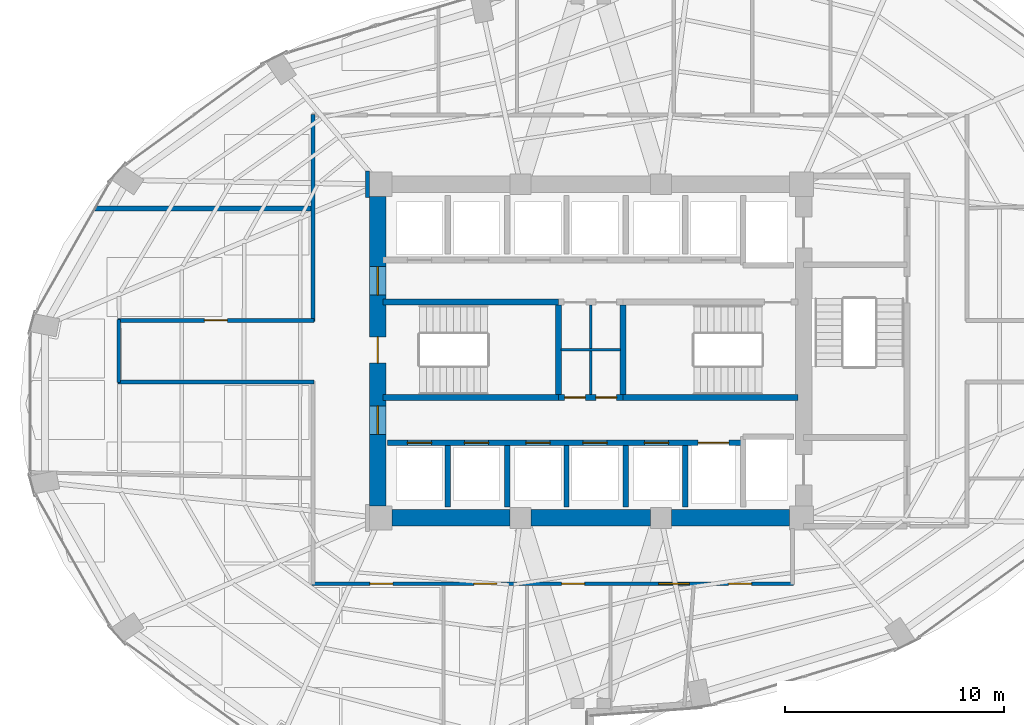
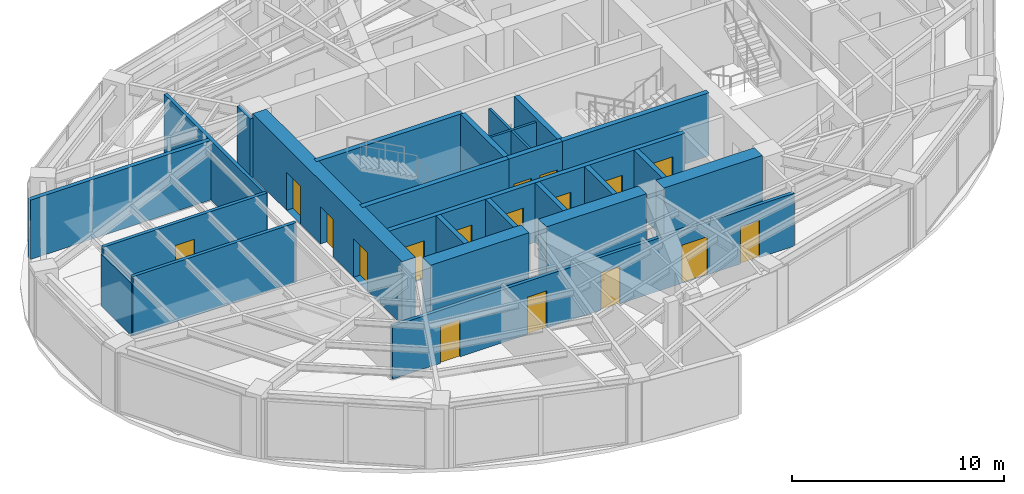
# One storey, part 19 of 23: 25 walls, 17 doors, 17 openings.
"""IFC4 building model written with IfcOpenShell, lengths in metres."""

from ifc_helpers import new_model, si_unit, direction, frame, frame_2d, origin, place, context, subcontext, project, spatial, rectangle, extrude, material, layer, layer_set, type_object, element, fill, save


model = new_model("IFC4")

# Units and contexts
model_context = context("Model", 3, precision=1e-05, world=origin(), true_north=direction((0.0, 1.0)))
body_context = subcontext(model_context, "Body", "Model", "MODEL_VIEW")
ifc_project = project(units=[si_unit("LENGTHUNIT", "METRE"), si_unit("AREAUNIT", "SQUARE_METRE"), si_unit("VOLUMEUNIT", "CUBIC_METRE"), si_unit("PLANEANGLEUNIT", "RADIAN"), si_unit("MASSUNIT", "GRAM", prefix="KILO")], contexts=[model_context])

# Site, building, storey
site_placement = place(None, origin())
site = spatial("IfcSite", under=ifc_project, at=site_placement, CompositionType="ELEMENT")
building_placement = place(site_placement, origin())
building = spatial("IfcBuilding", under=site, at=building_placement, Name="Lazwardi Medical Tower", CompositionType="ELEMENT")
storey_placement = place(building_placement, frame((0.0, 0.0, 89.0400390625)))
storey = spatial("IfcBuildingStorey", under=building, at=storey_placement, Name="L22", CompositionType="ELEMENT", Elevation=89.0400390625)

# Wall
ifc_material_1 = material(Name="Fire-rated gypsum board on steel stud", Category="steel")
ifc_layer_1 = layer(ifc_material_1, 0.179931640625)
ifc_layer_set_1 = layer_set([ifc_layer_1], Name="Fire-rated gypsum board on steel stud")
wall_type_1 = type_object("IfcWallType", Name="WL-COR-180", PredefinedType="PARTITIONING", material=ifc_layer_set_1)
wall_1_placement = place(storey_placement, frame((14.5, 26.56005859375, 0.0), z_axis=(0.0, 0.0, 1.0), x_axis=(0.0, 1.0, 0.0)))
element("IfcWall", 1, at=wall_1_placement, inside=storey, type_object=wall_type_1, Name="L22 Corridor partition 1", PredefinedType="PARTITIONING", context=body_context, shape_type="SweptSolid", body=[
    extrude(rectangle(XDim=2.8798828125, YDim=0.179931640625, at=frame_2d((1.43994140625, 0.0))), origin(), (0.0, 0.0, 1.0), 3.012939453125),
])

# Wall, opening, door
wall_2_placement = place(storey_placement, frame((14.4599609375, 29.39990234375, 0.0), z_axis=(0.0, 0.0, 1.0), x_axis=(1.0, 0.0, 0.0)))
wall_2 = element("IfcWall", 2, at=wall_2_placement, inside=storey, type_object=wall_type_1, Name="L22 Corridor partition 2", PredefinedType="PARTITIONING", context=body_context, shape_type="SweptSolid", body=[
    extrude(rectangle(XDim=8.929931640625, YDim=0.179931640625, at=frame_2d((4.46484375, 0.0))), origin(), (0.0, 0.0, 1.0), 3.427978515625),
])
opening_1_placement = place(wall_2_placement, frame((3.93994140625, 0.0, 0.0)))
opening_1 = element("IfcOpeningElement", 3, at=opening_1_placement, cuts=wall_2, Name="Opening D-L22-021", PredefinedType="OPENING", context=body_context, shape_type="SweptSolid", body=[
    extrude(rectangle(XDim=1.050048828125, YDim=2.14990234375, at=frame_2d((0.52490234375, 1.074951171875))), frame((0.0, 0.099853515625, 0.0), z_axis=(0.0, -1.0, 0.0), x_axis=(1.0, 0.0, 0.0)), (0.0, 0.0, 1.0), 0.199951171875),
])
ifc_material_2 = material(Name="Anti-microbial laminate hospital leaf")
door_type_1 = type_object("IfcDoorType", Name="DR-CLN-1050", OperationType="NOTDEFINED", PredefinedType="DOOR", material=ifc_material_2)
door_1_placement = place(opening_1_placement, origin())
door_1 = element("IfcDoor", 4, at=door_1_placement, inside=storey, type_object=door_type_1, Name="L22 Outpatient Consultation Suite Door 13", OperationType="SINGLE_SWING_LEFT", OverallHeight=2.14990234375, OverallWidth=1.050048828125, PredefinedType="DOOR", context=body_context, shape_type="SweptSolid", body=[
    extrude(rectangle(XDim=1.050048828125, YDim=2.14990234375, at=frame_2d((0.52490234375, 1.074951171875))), frame((0.0, 0.02490234375, 0.0), z_axis=(0.0, -1.0, 0.0), x_axis=(1.0, 0.0, 0.0)), (0.0, 0.0, 1.0), 0.050048828125),
])
fill(opening_1, door_1)

# Walls
wall_3_placement = place(storey_placement, frame((23.35009765625, 29.360107421875, 0.0), z_axis=(0.0, 0.0, 1.0), x_axis=(0.0, 1.0, 0.0)))
element("IfcWall", 5, at=wall_3_placement, inside=storey, type_object=wall_type_1, Name="L22 Corridor partition 3", PredefinedType="PARTITIONING", context=body_context, shape_type="SweptSolid", body=[
    extrude(rectangle(XDim=9.429931640625, YDim=0.179931640625, at=frame_2d((4.71484375, 0.0))), origin(), (0.0, 0.0, 1.0), 3.427978515625),
])
wall_4_placement = place(storey_placement, frame((25.830078125, 36.2099609375, 0.0), z_axis=(0.0, 0.0, 1.0), x_axis=(0.0, -1.0, 0.0)))
element("IfcWall", 6, at=wall_4_placement, inside=storey, type_object=wall_type_1, Name="L22 Corridor partition 11", PredefinedType="PARTITIONING", context=body_context, shape_type="SweptSolid", body=[
    extrude(rectangle(XDim=1.219970703125, YDim=0.179931640625, at=frame_2d((0.60986328125, 0.0))), origin(), (0.0, 0.0, 1.0), 3.427978515625),
])

# Wall, openings, doors
wall_5_placement = place(storey_placement, frame((45.239990234375, 17.39990234375, 0.0), z_axis=(0.0, 0.0, 1.0), x_axis=(-1.0, 0.0, 0.0)))
wall_5 = element("IfcWall", 7, at=wall_5_placement, inside=storey, type_object=wall_type_1, Name="L22 Corridor partition 14", PredefinedType="PARTITIONING", context=body_context, shape_type="SweptSolid", body=[
    extrude(rectangle(XDim=21.929931640625, YDim=0.179931640625, at=frame_2d((10.96484375, 0.0))), origin(), (0.0, 0.0, 1.0), 3.052978515625),
])
opening_2_placement = place(wall_5_placement, frame((18.2509765625, 0.0, 0.0)))
opening_2 = element("IfcOpeningElement", 8, at=opening_2_placement, cuts=wall_5, Name="Opening D-L22-009", PredefinedType="OPENING", context=body_context, shape_type="SweptSolid", body=[
    extrude(rectangle(XDim=1.050048828125, YDim=2.14990234375, at=frame_2d((0.52490234375, 1.074951171875))), frame((0.0, 0.099853515625, 0.0), z_axis=(0.0, -1.0, 0.0), x_axis=(1.0, 0.0, 0.0)), (0.0, 0.0, 1.0), 0.199951171875),
])
opening_3_placement = place(wall_5_placement, frame((13.514892578125, 0.0, 0.0)))
opening_3 = element("IfcOpeningElement", 9, at=opening_3_placement, cuts=wall_5, Name="Opening D-L22-010", PredefinedType="OPENING", context=body_context, shape_type="SweptSolid", body=[
    extrude(rectangle(XDim=1.050048828125, YDim=2.14990234375, at=frame_2d((0.52490234375, 1.074951171875))), frame((0.0, 0.099853515625, 0.0), z_axis=(0.0, -1.0, 0.0), x_axis=(1.0, 0.0, 0.0)), (0.0, 0.0, 1.0), 0.199951171875),
])
opening_4_placement = place(wall_5_placement, frame((9.514892578125, 0.0, 0.0)))
opening_4 = element("IfcOpeningElement", 10, at=opening_4_placement, cuts=wall_5, Name="Opening D-L22-011", PredefinedType="OPENING", context=body_context, shape_type="SweptSolid", body=[
    extrude(rectangle(XDim=1.050048828125, YDim=2.14990234375, at=frame_2d((0.52490234375, 1.074951171875))), frame((0.0, 0.099853515625, 0.0), z_axis=(0.0, -1.0, 0.0), x_axis=(1.0, 0.0, 0.0)), (0.0, 0.0, 1.0), 0.199951171875),
])
opening_5_placement = place(wall_5_placement, frame((4.743408203125, 0.0, 0.0)))
opening_5 = element("IfcOpeningElement", 11, at=opening_5_placement, cuts=wall_5, Name="Opening D-L22-012", PredefinedType="OPENING", context=body_context, shape_type="SweptSolid", body=[
    extrude(rectangle(XDim=1.39990234375, YDim=2.199951171875, at=frame_2d((0.699951171875, 1.10009765625))), frame((0.0, 0.099853515625, 0.0), z_axis=(0.0, -1.0, 0.0), x_axis=(1.0, 0.0, 0.0)), (0.0, 0.0, 1.0), 0.199951171875),
])
opening_6_placement = place(wall_5_placement, frame((1.906982421875, 0.0, 0.0)))
opening_6 = element("IfcOpeningElement", 12, at=opening_6_placement, cuts=wall_5, Name="Opening D-L22-013", PredefinedType="OPENING", context=body_context, shape_type="SweptSolid", body=[
    extrude(rectangle(XDim=1.050048828125, YDim=2.14990234375, at=frame_2d((0.52490234375, 1.074951171875))), frame((0.0, 0.099853515625, 0.0), z_axis=(0.0, -1.0, 0.0), x_axis=(1.0, 0.0, 0.0)), (0.0, 0.0, 1.0), 0.199951171875),
])
door_type_2 = type_object("IfcDoorType", Name="DR-BED-1400", OperationType="NOTDEFINED", PredefinedType="DOOR", material=ifc_material_2)
door_2_placement = place(opening_5_placement, origin())
door_2 = element("IfcDoor", 13, at=door_2_placement, inside=storey, type_object=door_type_2, Name="L22 Rehabilitation Gymnasium Door 04", OperationType="SINGLE_SWING_RIGHT", OverallHeight=2.199951171875, OverallWidth=1.39990234375, PredefinedType="DOOR", context=body_context, shape_type="SweptSolid", body=[
    extrude(rectangle(XDim=1.39990234375, YDim=2.199951171875, at=frame_2d((0.699951171875, 1.10009765625))), frame((0.0, 0.02490234375, 0.0), z_axis=(0.0, -1.0, 0.0), x_axis=(1.0, 0.0, 0.0)), (0.0, 0.0, 1.0), 0.050048828125),
])
fill(opening_5, door_2)
door_3_placement = place(opening_2_placement, origin())
door_3 = element("IfcDoor", 14, at=door_3_placement, inside=storey, type_object=door_type_1, Name="L22 Outpatient Consultation Suite Door 01", OperationType="SINGLE_SWING_LEFT", OverallHeight=2.14990234375, OverallWidth=1.050048828125, PredefinedType="DOOR", context=body_context, shape_type="SweptSolid", body=[
    extrude(rectangle(XDim=1.050048828125, YDim=2.14990234375, at=frame_2d((0.52490234375, 1.074951171875))), frame((0.0, 0.02490234375, 0.0), z_axis=(0.0, -1.0, 0.0), x_axis=(1.0, 0.0, 0.0)), (0.0, 0.0, 1.0), 0.050048828125),
])
fill(opening_2, door_3)
door_4_placement = place(opening_3_placement, origin())
door_4 = element("IfcDoor", 15, at=door_4_placement, inside=storey, type_object=door_type_1, Name="L22 Clinical Specialist Office Door 02", OperationType="SINGLE_SWING_RIGHT", OverallHeight=2.14990234375, OverallWidth=1.050048828125, PredefinedType="DOOR", context=body_context, shape_type="SweptSolid", body=[
    extrude(rectangle(XDim=1.050048828125, YDim=2.14990234375, at=frame_2d((0.52490234375, 1.074951171875))), frame((0.0, 0.02490234375, 0.0), z_axis=(0.0, -1.0, 0.0), x_axis=(1.0, 0.0, 0.0)), (0.0, 0.0, 1.0), 0.050048828125),
])
fill(opening_3, door_4)
door_5_placement = place(opening_4_placement, origin())
door_5 = element("IfcDoor", 16, at=door_5_placement, inside=storey, type_object=door_type_1, Name="L22 Outpatient Clinic Door 03", OperationType="SINGLE_SWING_LEFT", OverallHeight=2.14990234375, OverallWidth=1.050048828125, PredefinedType="DOOR", context=body_context, shape_type="SweptSolid", body=[
    extrude(rectangle(XDim=1.050048828125, YDim=2.14990234375, at=frame_2d((0.52490234375, 1.074951171875))), frame((0.0, 0.02490234375, 0.0), z_axis=(0.0, -1.0, 0.0), x_axis=(1.0, 0.0, 0.0)), (0.0, 0.0, 1.0), 0.050048828125),
])
fill(opening_4, door_5)
door_6_placement = place(opening_6_placement, origin())
door_6 = element("IfcDoor", 17, at=door_6_placement, inside=storey, type_object=door_type_1, Name="L22 Outpatient Consultation Suite Door 05", OperationType="SINGLE_SWING_LEFT", OverallHeight=2.14990234375, OverallWidth=1.050048828125, PredefinedType="DOOR", context=body_context, shape_type="SweptSolid", body=[
    extrude(rectangle(XDim=1.050048828125, YDim=2.14990234375, at=frame_2d((0.52490234375, 1.074951171875))), frame((0.0, 0.02490234375, 0.0), z_axis=(0.0, -1.0, 0.0), x_axis=(1.0, 0.0, 0.0)), (0.0, 0.0, 1.0), 0.050048828125),
])
fill(opening_6, door_6)

# Wall
wall_6_placement = place(storey_placement, frame((23.389892578125, 26.60009765625, 0.0), z_axis=(0.0, 0.0, 1.0), x_axis=(-1.0, 0.0, 0.0)))
element("IfcWall", 18, at=wall_6_placement, inside=storey, type_object=wall_type_1, Name="L22 Corridor partition 16", PredefinedType="PARTITIONING", context=body_context, shape_type="SweptSolid", body=[
    extrude(rectangle(XDim=8.929931640625, YDim=0.179931640625, at=frame_2d((4.46484375, 0.0))), origin(), (0.0, 0.0, 1.0), 3.427978515625),
])

# Wall, openings, doors
ifc_material_3 = material(Name="Concrete C70/85", Category="concrete")
ifc_layer_2 = layer(ifc_material_3, 0.75)
ifc_layer_set_2 = layer_set([ifc_layer_2], Name="Concrete C70/85")
wall_type_2 = type_object("IfcWallType", Name="WL-CORE-750", PredefinedType="SHEAR", material=ifc_layer_set_2)
wall_7_placement = place(storey_placement, frame((26.300048828125, 20.949951171875, 0.0), z_axis=(0.0, 0.0, 1.0), x_axis=(0.0, 1.0, 0.0)))
wall_7 = element("IfcWall", 19, at=wall_7_placement, inside=storey, type_object=wall_type_2, Name="Core wall CW-S2 west L22", PredefinedType="SHEAR", context=body_context, shape_type="SweptSolid", body=[
    extrude(rectangle(XDim=14.10009765625, YDim=0.75, at=frame_2d((7.050048828125, 0.0))), origin(), (0.0, 0.0, 1.0), 3.64794921875),
])
opening_7_placement = place(wall_7_placement, frame((6.5, 0.0, 0.0)))
opening_7 = element("IfcOpeningElement", 20, at=opening_7_placement, cuts=wall_7, Name="Opening D-L22-022", PredefinedType="OPENING", context=body_context, shape_type="SweptSolid", body=[
    extrude(rectangle(XDim=1.199951171875, YDim=2.14990234375, at=frame_2d((0.60009765625, 1.074951171875))), frame((0.0, 0.385009765625, 0.0), z_axis=(0.0, -1.0, 0.0), x_axis=(1.0, 0.0, 0.0)), (0.0, 0.0, 1.0), 0.77001953125),
])
opening_8_placement = place(wall_7_placement, frame((9.60009765625, 0.0, 0.0)))
opening_8 = element("IfcOpeningElement", 21, at=opening_8_placement, cuts=wall_7, Name="Opening D-L22-007", PredefinedType="OPENING", context=body_context, shape_type="SweptSolid", body=[
    extrude(rectangle(XDim=1.300048828125, YDim=2.199951171875, at=frame_2d((0.64990234375, 1.10009765625))), frame((0.0, 0.385009765625, 0.0), z_axis=(0.0, -1.0, 0.0), x_axis=(1.0, 0.0, 0.0)), (0.0, 0.0, 1.0), 0.77001953125),
])
opening_9_placement = place(wall_7_placement, frame((3.260009765625, 0.0, 0.0)))
opening_9 = element("IfcOpeningElement", 22, at=opening_9_placement, cuts=wall_7, Name="Opening D-L22-008", PredefinedType="OPENING", context=body_context, shape_type="SweptSolid", body=[
    extrude(rectangle(XDim=1.300048828125, YDim=2.199951171875, at=frame_2d((0.64990234375, 1.10009765625))), frame((0.0, 0.385009765625, 0.0), z_axis=(0.0, -1.0, 0.0), x_axis=(1.0, 0.0, 0.0)), (0.0, 0.0, 1.0), 0.77001953125),
])
ifc_material_4 = material(Name="Fire-rated steel leaf and frame", Category="steel")
door_type_3 = type_object("IfcDoorType", Name="DR-FFL-1300", OperationType="NOTDEFINED", PredefinedType="DOOR", material=ifc_material_4)
door_7_placement = place(opening_8_placement, origin())
door_7 = element("IfcDoor", 23, at=door_7_placement, inside=storey, type_object=door_type_3, Name="L22 North Lift Lobby Door", OperationType="SINGLE_SWING_RIGHT", OverallHeight=2.199951171875, OverallWidth=1.300048828125, PredefinedType="DOOR", context=body_context, shape_type="SweptSolid", body=[
    extrude(rectangle(XDim=1.300048828125, YDim=2.199951171875, at=frame_2d((0.64990234375, 1.10009765625))), frame((0.0, 0.02490234375, 0.0), z_axis=(0.0, -1.0, 0.0), x_axis=(1.0, 0.0, 0.0)), (0.0, 0.0, 1.0), 0.050048828125),
])
fill(opening_8, door_7)
door_8_placement = place(opening_9_placement, origin())
door_8 = element("IfcDoor", 24, at=door_8_placement, inside=storey, type_object=door_type_3, Name="L22 South Lift Lobby Door", OperationType="SINGLE_SWING_LEFT", OverallHeight=2.199951171875, OverallWidth=1.300048828125, PredefinedType="DOOR", context=body_context, shape_type="SweptSolid", body=[
    extrude(rectangle(XDim=1.300048828125, YDim=2.199951171875, at=frame_2d((0.64990234375, 1.10009765625))), frame((0.0, 0.02490234375, 0.0), z_axis=(0.0, -1.0, 0.0), x_axis=(1.0, 0.0, 0.0)), (0.0, 0.0, 1.0), 0.050048828125),
])
fill(opening_9, door_8)
door_type_4 = type_object("IfcDoorType", Name="DR-STR-1200", OperationType="NOTDEFINED", PredefinedType="DOOR", material=ifc_material_4)
door_9_placement = place(opening_7_placement, origin())
door_9 = element("IfcDoor", 25, at=door_9_placement, inside=storey, type_object=door_type_4, Name="L22 Exit Stair ST1 Door", OperationType="SINGLE_SWING_RIGHT", OverallHeight=2.14990234375, OverallWidth=1.199951171875, PredefinedType="DOOR", context=body_context, shape_type="SweptSolid", body=[
    extrude(rectangle(XDim=1.199951171875, YDim=2.14990234375, at=frame_2d((0.60009765625, 1.074951171875))), frame((0.0, 0.02490234375, 0.0), z_axis=(0.0, -1.0, 0.0), x_axis=(1.0, 0.0, 0.0)), (0.0, 0.0, 1.0), 0.050048828125),
])
fill(opening_7, door_9)

# Walls
wall_8_placement = place(storey_placement, frame((26.949951171875, 20.39990234375, 0.0), z_axis=(0.0, 0.0, 1.0), x_axis=(1.0, 0.0, 0.0)))
element("IfcWall", 26, at=wall_8_placement, inside=storey, type_object=wall_type_2, Name="Core wall CW-S2 S1 L22", PredefinedType="SHEAR", context=body_context, shape_type="SweptSolid", body=[
    extrude(rectangle(XDim=5.375, YDim=0.75, at=frame_2d((2.6875, 0.0))), origin(), (0.0, 0.0, 1.0), 3.64794921875),
])
wall_9_placement = place(storey_placement, frame((33.27490234375, 20.39990234375, 0.0), z_axis=(0.0, 0.0, 1.0), x_axis=(1.0, 0.0, 0.0)))
element("IfcWall", 27, at=wall_9_placement, inside=storey, type_object=wall_type_2, Name="Core wall CW-S2 S2 L22", PredefinedType="SHEAR", context=body_context, shape_type="SweptSolid", body=[
    extrude(rectangle(XDim=5.4501953125, YDim=0.75, at=frame_2d((2.72509765625, 0.0))), origin(), (0.0, 0.0, 1.0), 3.64794921875),
])
wall_10_placement = place(storey_placement, frame((39.675048828125, 20.39990234375, 0.0), z_axis=(0.0, 0.0, 1.0), x_axis=(1.0, 0.0, 0.0)))
element("IfcWall", 28, at=wall_10_placement, inside=storey, type_object=wall_type_2, Name="Core wall CW-S2 S3 L22", PredefinedType="SHEAR", context=body_context, shape_type="SweptSolid", body=[
    extrude(rectangle(XDim=5.375, YDim=0.75, at=frame_2d((2.6875, 0.0))), origin(), (0.0, 0.0, 1.0), 3.64794921875),
])
ifc_material_5 = material(Name="Moisture-resistant gypsum board partition")
ifc_layer_3 = layer(ifc_material_5, 0.125)
ifc_layer_set_3 = layer_set([ifc_layer_3], Name="Moisture-resistant gypsum board partition")
wall_type_3 = type_object("IfcWallType", Name="WL-ENS-125", PredefinedType="PARTITIONING", material=ifc_layer_set_3)
wall_11_placement = place(storey_placement, frame((34.64990234375, 28.06005859375, 0.0), z_axis=(0.0, 0.0, 1.0), x_axis=(1.0, 0.0, 0.0)))
element("IfcWall", 29, at=wall_11_placement, inside=storey, type_object=wall_type_3, Name="L22 Core 4-way H divider", PredefinedType="PARTITIONING", context=body_context, shape_type="SweptSolid", body=[
    extrude(rectangle(XDim=2.7001953125, YDim=0.125, at=frame_2d((1.35009765625, 0.0))), origin(), (0.0, 0.0, 1.0), 3.427978515625),
])
wall_12_placement = place(storey_placement, frame((36.0, 26.02001953125, 0.0), z_axis=(0.0, 0.0, 1.0), x_axis=(0.0, 1.0, 0.0)))
element("IfcWall", 30, at=wall_12_placement, inside=storey, type_object=wall_type_3, Name="L22 Core 4-way V divider", PredefinedType="PARTITIONING", context=body_context, shape_type="SweptSolid", body=[
    extrude(rectangle(XDim=4.080078125, YDim=0.125, at=frame_2d((2.0400390625, 0.0))), origin(), (0.0, 0.0, 1.0), 3.427978515625),
])

# Wall, openings, doors
ifc_material_6 = material(Name="Autoclaved aerated concrete blockwork", Category="masonry")
ifc_layer_4 = layer(ifc_material_6, 0.25)
ifc_layer_set_4 = layer_set([ifc_layer_4], Name="Autoclaved aerated concrete blockwork")
wall_type_4 = type_object("IfcWallType", Name="WL-SHAFT-250", PredefinedType="SOLIDWALL", material=ifc_layer_set_4)
wall_13_placement = place(storey_placement, frame((26.75, 23.830078125, 0.0), z_axis=(0.0, 0.0, 1.0), x_axis=(1.0, 0.0, 0.0)))
wall_13 = element("IfcWall", 31, at=wall_13_placement, inside=storey, type_object=wall_type_4, Name="L22 South lift bank front wall", PredefinedType="SOLIDWALL", context=body_context, shape_type="SweptSolid", body=[
    extrude(rectangle(XDim=16.199951171875, YDim=0.25, at=frame_2d((8.10009765625, 0.0))), origin(), (0.0, 0.0, 1.0), 3.427978515625),
])
opening_10_placement = place(wall_13_placement, frame((0.89990234375, 0.0, 0.0)))
opening_10 = element("IfcOpeningElement", 32, at=opening_10_placement, cuts=wall_13, Name="Opening LD-L22-006", PredefinedType="OPENING", context=body_context, shape_type="SweptSolid", body=[
    extrude(rectangle(XDim=1.10009765625, YDim=2.199951171875, at=frame_2d((0.550048828125, 1.10009765625))), frame((0.0, 0.135009765625, 0.0), z_axis=(0.0, -1.0, 0.0), x_axis=(1.0, 0.0, 0.0)), (0.0, 0.0, 1.0), 0.27001953125),
])
opening_11_placement = place(wall_13_placement, frame((3.5, 0.0, 0.0)))
opening_11 = element("IfcOpeningElement", 33, at=opening_11_placement, cuts=wall_13, Name="Opening LD-L22-007", PredefinedType="OPENING", context=body_context, shape_type="SweptSolid", body=[
    extrude(rectangle(XDim=1.10009765625, YDim=2.199951171875, at=frame_2d((0.550048828125, 1.10009765625))), frame((0.0, 0.135009765625, 0.0), z_axis=(0.0, -1.0, 0.0), x_axis=(1.0, 0.0, 0.0)), (0.0, 0.0, 1.0), 0.27001953125),
])
opening_12_placement = place(wall_13_placement, frame((6.300048828125, 0.0, 0.0)))
opening_12 = element("IfcOpeningElement", 34, at=opening_12_placement, cuts=wall_13, Name="Opening LD-L22-010", PredefinedType="OPENING", context=body_context, shape_type="SweptSolid", body=[
    extrude(rectangle(XDim=1.10009765625, YDim=2.199951171875, at=frame_2d((0.550048828125, 1.10009765625))), frame((0.0, 0.135009765625, 0.0), z_axis=(0.0, -1.0, 0.0), x_axis=(1.0, 0.0, 0.0)), (0.0, 0.0, 1.0), 0.27001953125),
])
opening_13_placement = place(wall_13_placement, frame((8.89990234375, 0.0, 0.0)))
opening_13 = element("IfcOpeningElement", 35, at=opening_13_placement, cuts=wall_13, Name="Opening LD-L22-011", PredefinedType="OPENING", context=body_context, shape_type="SweptSolid", body=[
    extrude(rectangle(XDim=1.10009765625, YDim=2.199951171875, at=frame_2d((0.550048828125, 1.10009765625))), frame((0.0, 0.135009765625, 0.0), z_axis=(0.0, -1.0, 0.0), x_axis=(1.0, 0.0, 0.0)), (0.0, 0.0, 1.0), 0.27001953125),
])
opening_14_placement = place(wall_13_placement, frame((11.699951171875, 0.0, 0.0)))
opening_14 = element("IfcOpeningElement", 36, at=opening_14_placement, cuts=wall_13, Name="Opening LD-L22-014", PredefinedType="OPENING", context=body_context, shape_type="SweptSolid", body=[
    extrude(rectangle(XDim=1.10009765625, YDim=2.199951171875, at=frame_2d((0.550048828125, 1.10009765625))), frame((0.0, 0.135009765625, 0.0), z_axis=(0.0, -1.0, 0.0), x_axis=(1.0, 0.0, 0.0)), (0.0, 0.0, 1.0), 0.27001953125),
])
opening_15_placement = place(wall_13_placement, frame((14.14990234375, 0.0, 0.0)))
opening_15 = element("IfcOpeningElement", 37, at=opening_15_placement, cuts=wall_13, Name="Opening LD-L22-003", PredefinedType="OPENING", context=body_context, shape_type="SweptSolid", body=[
    extrude(rectangle(XDim=1.39990234375, YDim=2.300048828125, at=frame_2d((0.699951171875, 1.14990234375))), frame((0.0, 0.135009765625, 0.0), z_axis=(0.0, -1.0, 0.0), x_axis=(1.0, 0.0, 0.0)), (0.0, 0.0, 1.0), 0.27001953125),
])
ifc_material_7 = material(Name="Brushed bronze stainless steel landing door", Category="steel")
door_type_5 = type_object("IfcDoorType", Name="DR-LFT-1100", OperationType="NOTDEFINED", PredefinedType="DOOR", material=ifc_material_7)
door_10_placement = place(opening_10_placement, origin())
door_10 = element("IfcDoor", 38, at=door_10_placement, inside=storey, type_object=door_type_5, Name="L22 Lift Landing Door PL-03", OperationType="SLIDING_TO_LEFT", OverallHeight=2.199951171875, OverallWidth=1.10009765625, PredefinedType="DOOR", context=body_context, shape_type="SweptSolid", body=[
    extrude(rectangle(XDim=1.10009765625, YDim=2.199951171875, at=frame_2d((0.550048828125, 1.10009765625))), frame((0.0, 0.02490234375, 0.0), z_axis=(0.0, -1.0, 0.0), x_axis=(1.0, 0.0, 0.0)), (0.0, 0.0, 1.0), 0.050048828125),
])
fill(opening_10, door_10)
door_11_placement = place(opening_11_placement, origin())
door_11 = element("IfcDoor", 39, at=door_11_placement, inside=storey, type_object=door_type_5, Name="L22 Lift Landing Door PL-04", OperationType="SLIDING_TO_LEFT", OverallHeight=2.199951171875, OverallWidth=1.10009765625, PredefinedType="DOOR", context=body_context, shape_type="SweptSolid", body=[
    extrude(rectangle(XDim=1.10009765625, YDim=2.199951171875, at=frame_2d((0.550048828125, 1.10009765625))), frame((0.0, 0.02490234375, 0.0), z_axis=(0.0, -1.0, 0.0), x_axis=(1.0, 0.0, 0.0)), (0.0, 0.0, 1.0), 0.050048828125),
])
fill(opening_11, door_11)
door_12_placement = place(opening_12_placement, origin())
door_12 = element("IfcDoor", 40, at=door_12_placement, inside=storey, type_object=door_type_5, Name="L22 Lift Landing Door PL-07", OperationType="SLIDING_TO_LEFT", OverallHeight=2.199951171875, OverallWidth=1.10009765625, PredefinedType="DOOR", context=body_context, shape_type="SweptSolid", body=[
    extrude(rectangle(XDim=1.10009765625, YDim=2.199951171875, at=frame_2d((0.550048828125, 1.10009765625))), frame((0.0, 0.02490234375, 0.0), z_axis=(0.0, -1.0, 0.0), x_axis=(1.0, 0.0, 0.0)), (0.0, 0.0, 1.0), 0.050048828125),
])
fill(opening_12, door_12)
door_13_placement = place(opening_13_placement, origin())
door_13 = element("IfcDoor", 41, at=door_13_placement, inside=storey, type_object=door_type_5, Name="L22 Lift Landing Door PL-08", OperationType="SLIDING_TO_LEFT", OverallHeight=2.199951171875, OverallWidth=1.10009765625, PredefinedType="DOOR", context=body_context, shape_type="SweptSolid", body=[
    extrude(rectangle(XDim=1.10009765625, YDim=2.199951171875, at=frame_2d((0.550048828125, 1.10009765625))), frame((0.0, 0.02490234375, 0.0), z_axis=(0.0, -1.0, 0.0), x_axis=(1.0, 0.0, 0.0)), (0.0, 0.0, 1.0), 0.050048828125),
])
fill(opening_13, door_13)
door_14_placement = place(opening_14_placement, origin())
door_14 = element("IfcDoor", 42, at=door_14_placement, inside=storey, type_object=door_type_5, Name="L22 Lift Landing Door PL-11", OperationType="SLIDING_TO_LEFT", OverallHeight=2.199951171875, OverallWidth=1.10009765625, PredefinedType="DOOR", context=body_context, shape_type="SweptSolid", body=[
    extrude(rectangle(XDim=1.10009765625, YDim=2.199951171875, at=frame_2d((0.550048828125, 1.10009765625))), frame((0.0, 0.02490234375, 0.0), z_axis=(0.0, -1.0, 0.0), x_axis=(1.0, 0.0, 0.0)), (0.0, 0.0, 1.0), 0.050048828125),
])
fill(opening_14, door_14)
ifc_material_8 = material(Name="Brushed stainless steel bed-lift landing door", Category="steel")
door_type_6 = type_object("IfcDoorType", Name="DR-LFT-1400", OperationType="NOTDEFINED", PredefinedType="DOOR", material=ifc_material_8)
door_15_placement = place(opening_15_placement, origin())
door_15 = element("IfcDoor", 43, at=door_15_placement, inside=storey, type_object=door_type_6, Name="L22 Lift Landing Door FL-03", OperationType="SLIDING_TO_LEFT", OverallHeight=2.300048828125, OverallWidth=1.39990234375, PredefinedType="DOOR", context=body_context, shape_type="SweptSolid", body=[
    extrude(rectangle(XDim=1.39990234375, YDim=2.300048828125, at=frame_2d((0.699951171875, 1.14990234375))), frame((0.0, 0.02490234375, 0.0), z_axis=(0.0, -1.0, 0.0), x_axis=(1.0, 0.0, 0.0)), (0.0, 0.0, 1.0), 0.050048828125),
])
fill(opening_15, door_15)

# Walls
for number, where, z_axis, x_axis, name in (
    (44, (29.5, 20.89990234375, 0.0), (0.0, 0.0, 1.0), (0.0, 1.0, 0.0), "L22 South hoistway divider"),
    (45, (32.199951171875, 20.89990234375, 0.0), (0.0, 0.0, 1.0), (0.0, 1.0, 0.0), "L22 South hoistway divider"),
    (46, (34.89990234375, 20.89990234375, 0.0), (0.0, 0.0, 1.0), (0.0, 1.0, 0.0), "L22 South hoistway divider"),
    (47, (37.60009765625, 20.89990234375, 0.0), (0.0, 0.0, 1.0), (0.0, 1.0, 0.0), "L22 South hoistway divider"),
    (48, (40.300048828125, 20.89990234375, 0.0), (0.0, 0.0, 1.0), (0.0, 1.0, 0.0), "L22 South hoistway divider"),
):
    element("IfcWall", number, at=place(storey_placement, frame(where, z_axis=z_axis, x_axis=x_axis)), inside=storey, type_object=wall_type_4, Name=name, PredefinedType="SOLIDWALL", context=body_context, shape_type="SweptSolid", body=[
        extrude(rectangle(XDim=2.800048828125, YDim=0.25, at=frame_2d((1.39990234375, 0.0))), origin(), (0.0, 0.0, 1.0), 3.427978515625),
    ])
ifc_layer_5 = layer(ifc_material_1, 0.219970703125)
ifc_layer_set_5 = layer_set([ifc_layer_5], Name="Fire-rated gypsum board on steel stud")
wall_type_5 = type_object("IfcWallType", Name="WL-SMK-220", PredefinedType="PARTITIONING", material=ifc_layer_set_5)
wall_14_placement = place(storey_placement, frame((13.426025390625, 34.5, 0.0), z_axis=(0.0, 0.0, 1.0), x_axis=(1.0, 0.0, 0.0)))
element("IfcWall", 49, at=wall_14_placement, inside=storey, type_object=wall_type_5, Name="L22 Room partition 2", PredefinedType="PARTITIONING", context=body_context, shape_type="SweptSolid", body=[
    extrude(rectangle(XDim=9.833984375, YDim=0.219970703125, at=frame_2d((4.9169921875, 0.0))), origin(), (0.0, 0.0, 1.0), 3.427978515625),
])
ifc_material_9 = material(Name="Concrete C50/60", Category="concrete")
ifc_layer_6 = layer(ifc_material_9, 0.27001953125)
ifc_layer_set_6 = layer_set([ifc_layer_6], Name="Concrete C50/60")
wall_type_6 = type_object("IfcWallType", Name="WL-STR-250", PredefinedType="SHEAR", material=ifc_layer_set_6)
for number, where, z_axis, x_axis, name in (
    (50, (26.550048828125, 30.235107421875, 0.0), (0.0, 0.0, 1.0), (1.0, 0.0, 0.0), "L22 ST1 North shear shaft wall SW-S1"),
    (51, (26.550048828125, 25.885009765625, 0.0), (0.0, 0.0, 1.0), (1.0, 0.0, 0.0), "L22 ST1 South shear shaft wall SW-S1"),
):
    element("IfcWall", number, at=place(storey_placement, frame(where, z_axis=z_axis, x_axis=x_axis)), inside=storey, type_object=wall_type_6, Name=name, PredefinedType="SHEAR", context=body_context, shape_type="SweptSolid", body=[
        extrude(rectangle(XDim=7.98486328125, YDim=0.27001953125, at=frame_2d((3.992431640625, 0.0))), origin(), (0.0, 0.0, 1.0), 3.64794921875),
    ])

# Wall, openings, doors
wall_15_placement = place(storey_placement, frame((34.534912109375, 25.885009765625, 0.0), z_axis=(0.0, 0.0, 1.0), x_axis=(1.0, 0.0, 0.0)))
wall_15 = element("IfcWall", 52, at=wall_15_placement, inside=storey, type_object=wall_type_6, Name="L22 Core service South shear wall SW-S1", PredefinedType="SHEAR", context=body_context, shape_type="SweptSolid", body=[
    extrude(rectangle(XDim=2.93017578125, YDim=0.27001953125, at=frame_2d((1.465087890625, 0.0))), origin(), (0.0, 0.0, 1.0), 3.64794921875),
])
opening_16_placement = place(wall_15_placement, frame((0.280029296875, 0.0, 0.0)))
opening_16 = element("IfcOpeningElement", 53, at=opening_16_placement, cuts=wall_15, Name="Opening D-L22-001", PredefinedType="OPENING", context=body_context, shape_type="SweptSolid", body=[
    extrude(rectangle(XDim=0.949951171875, YDim=2.10009765625, at=frame_2d((0.47509765625, 1.050048828125))), frame((0.0, 0.14501953125, 0.0), z_axis=(0.0, -1.0, 0.0), x_axis=(1.0, 0.0, 0.0)), (0.0, 0.0, 1.0), 0.2900390625),
])
opening_17_placement = place(wall_15_placement, frame((1.699951171875, 0.0, 0.0)))
opening_17 = element("IfcOpeningElement", 54, at=opening_17_placement, cuts=wall_15, Name="Opening D-L22-002", PredefinedType="OPENING", context=body_context, shape_type="SweptSolid", body=[
    extrude(rectangle(XDim=0.949951171875, YDim=2.10009765625, at=frame_2d((0.47509765625, 1.050048828125))), frame((0.0, 0.14501953125, 0.0), z_axis=(0.0, -1.0, 0.0), x_axis=(1.0, 0.0, 0.0)), (0.0, 0.0, 1.0), 0.2900390625),
])
ifc_material_10 = material(Name="Moisture-resistant laminate door leaf")
door_type_7 = type_object("IfcDoorType", Name="DR-ENS-950", OperationType="NOTDEFINED", PredefinedType="DOOR", material=ifc_material_10)
door_16_placement = place(opening_16_placement, origin())
door_16 = element("IfcDoor", 55, at=door_16_placement, inside=storey, type_object=door_type_7, Name="L22 Staff WC Door", OperationType="SINGLE_SWING_RIGHT", OverallHeight=2.10009765625, OverallWidth=0.949951171875, PredefinedType="DOOR", context=body_context, shape_type="SweptSolid", body=[
    extrude(rectangle(XDim=0.949951171875, YDim=2.10009765625, at=frame_2d((0.47509765625, 1.050048828125))), frame((0.0, 0.02490234375, 0.0), z_axis=(0.0, -1.0, 0.0), x_axis=(1.0, 0.0, 0.0)), (0.0, 0.0, 1.0), 0.050048828125),
])
fill(opening_16, door_16)
door_17_placement = place(opening_17_placement, origin())
door_17 = element("IfcDoor", 56, at=door_17_placement, inside=storey, type_object=door_type_7, Name="L22 Comms Room Door", OperationType="SINGLE_SWING_LEFT", OverallHeight=2.10009765625, OverallWidth=0.949951171875, PredefinedType="DOOR", context=body_context, shape_type="SweptSolid", body=[
    extrude(rectangle(XDim=0.949951171875, YDim=2.10009765625, at=frame_2d((0.47509765625, 1.050048828125))), frame((0.0, 0.02490234375, 0.0), z_axis=(0.0, -1.0, 0.0), x_axis=(1.0, 0.0, 0.0)), (0.0, 0.0, 1.0), 0.050048828125),
])
fill(opening_17, door_17)

# Walls
wall_16_placement = place(storey_placement, frame((37.465087890625, 25.885009765625, 0.0), z_axis=(0.0, 0.0, 1.0), x_axis=(1.0, 0.0, 0.0)))
element("IfcWall", 57, at=wall_16_placement, inside=storey, type_object=wall_type_6, Name="L22 ST2 South shear shaft wall SW-S1", PredefinedType="SHEAR", context=body_context, shape_type="SweptSolid", body=[
    extrude(rectangle(XDim=7.98486328125, YDim=0.27001953125, at=frame_2d((3.992431640625, 0.0))), origin(), (0.0, 0.0, 1.0), 3.64794921875),
])
for number, where, z_axis, x_axis, name in (
    (58, (34.534912109375, 26.02001953125, 0.0), (0.0, 0.0, 1.0), (0.0, 1.0, 0.0), "L22 ST1 East shear shaft wall SW-S1"),
    (59, (37.465087890625, 26.02001953125, 0.0), (0.0, 0.0, 1.0), (0.0, 1.0, 0.0), "L22 ST2 West shear shaft wall SW-S1"),
):
    element("IfcWall", number, at=place(storey_placement, frame(where, z_axis=z_axis, x_axis=x_axis)), inside=storey, type_object=wall_type_6, Name=name, PredefinedType="SHEAR", context=body_context, shape_type="SweptSolid", body=[
        extrude(rectangle(XDim=4.080078125, YDim=0.27001953125, at=frame_2d((2.0400390625, 0.0))), origin(), (0.0, 0.0, 1.0), 3.64794921875),
    ])

save(model, "model.ifc")
